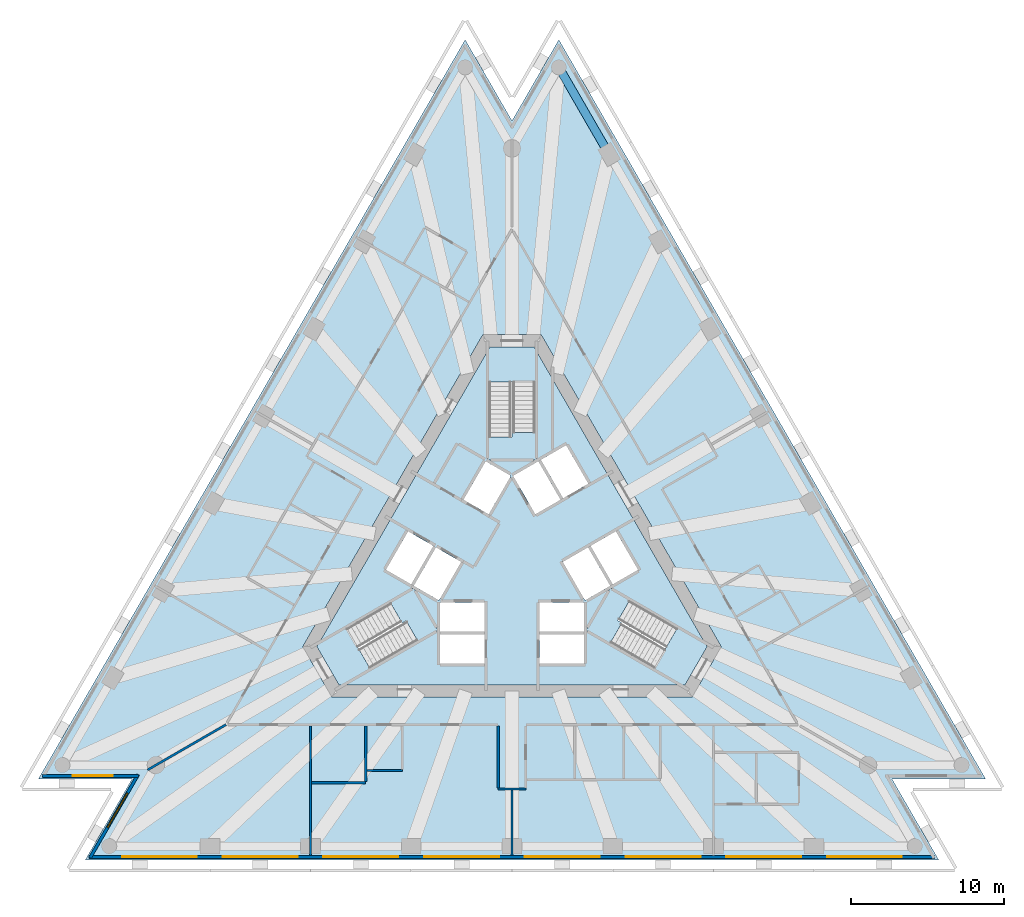
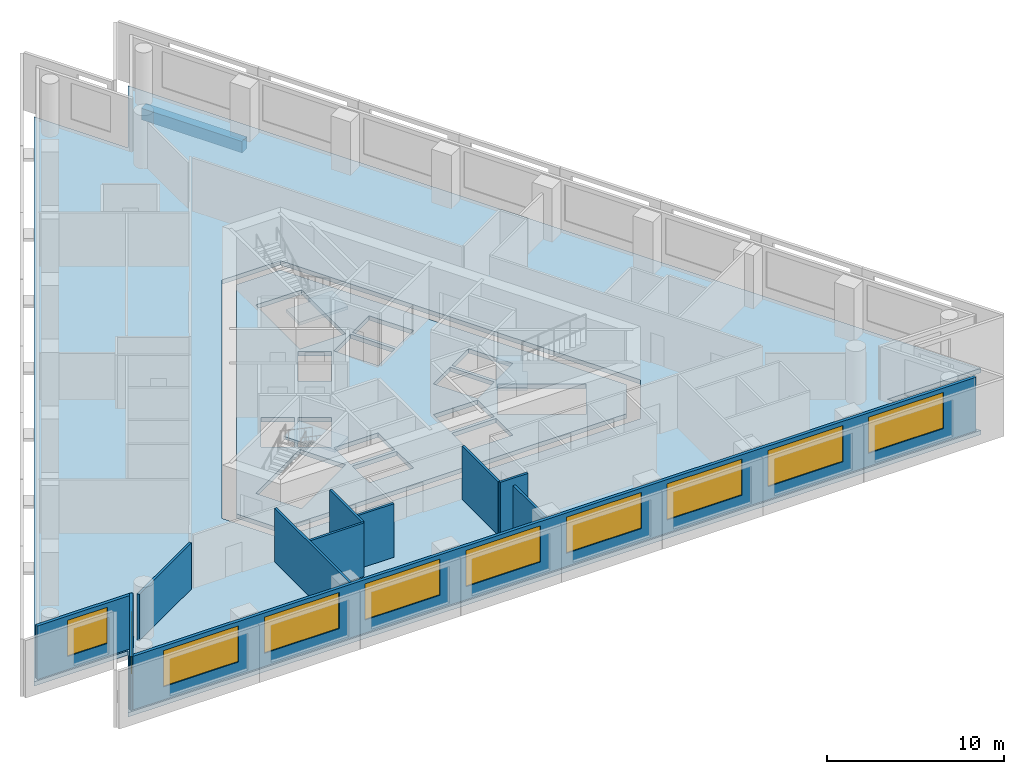
# One storey, part 2 of 10: 11 walls, 10 windows, 5 slabs, 1 beam, 10 openings, 3 elements without a shape of their own.
"""IFC4 building model written with IfcOpenShell, lengths in metres."""

from ifc_helpers import new_model, si_unit, direction, frame, frame_2d, origin, origin_2d, place, context, subcontext, project, spatial, polyline, rectangle, outline, extrude, material, layer, layer_set, layer_usage, material_profile, profile_set, type_object, element, fill, aggregate, save


model = new_model("IFC4")

# Units and contexts
model_context = context("Model", 3, precision=1e-05, world=origin(), true_north=direction((0.0, 1.0)))
body_context = subcontext(model_context, "Body", "Model", "MODEL_VIEW")
ifc_project = project(units=[si_unit("LENGTHUNIT", "METRE"), si_unit("AREAUNIT", "SQUARE_METRE"), si_unit("VOLUMEUNIT", "CUBIC_METRE"), si_unit("PLANEANGLEUNIT", "RADIAN"), si_unit("MASSUNIT", "GRAM", prefix="KILO")], contexts=[model_context])

# Site, building, storey
site_placement = place(None, origin())
site = spatial("IfcSite", under=ifc_project, at=site_placement, CompositionType="ELEMENT")
building_placement = place(site_placement, origin())
building = spatial("IfcBuilding", under=site, at=building_placement, Name="Triada Interchange Tower", CompositionType="ELEMENT")
storey_placement = place(building_placement, frame((0.0, 0.0, 156.300048828125)))
storey = spatial("IfcBuildingStorey", under=building, at=storey_placement, Name="L36", CompositionType="ELEMENT", Elevation=156.300048828125)

# Beam
ifc_material_1 = material(Name="Concrete C50/60", Category="concrete")
ifc_material_profile = material_profile(ifc_material_1, rectangle(XDim=0.550048828125, YDim=0.800048828125, at=origin_2d()), Name="RC 550x800")
ifc_profile_set = profile_set([ifc_material_profile], Name="Concrete C50/60")
beam_type = type_object("IfcBeamType", Name="Spandrel beam B RC 550x800", PredefinedType="BEAM", material=ifc_profile_set)
beam_placement = place(storey_placement, frame((6.35595703125, 26.48388671875, -0.699951171875), z_axis=(-0.499966313909, 0.866044851585, 0.0), x_axis=(-0.866044851585, -0.499966313909, 0.0)))
element("IfcBeam", 1, at=beam_placement, inside=storey, type_object=beam_type, Name="Spandrel beam EB28 L36", PredefinedType="BEAM", context=body_context, shape_type="SweptSolid", body=[
    extrude(rectangle(XDim=0.550048828125, YDim=0.800048828125, at=origin_2d()), origin(), (0.0, 0.0, 1.0), 6.58642578125),
])

# Slabs
ifc_layer_1 = layer(ifc_material_1, 0.300048828125)
ifc_layer_set_1 = layer_set([ifc_layer_1], Name="Floor slab 300")
slab_type_1 = type_object("IfcSlabType", Name="Floor slab 300", PredefinedType="FLOOR", material=ifc_layer_set_1)
slab_1_placement = place(storey_placement, frame((0.0, 0.0, -0.300048828125)))
element("IfcSlab", 2, at=slab_1_placement, inside=storey, type_object=slab_type_1, Name="Floor slab L36", PredefinedType="FLOOR", context=body_context, shape_type="SweptSolid", body=[
    extrude(outline(polyline([(-3.06298828125, 33.988037109375), (-30.965087890625, -14.342041015625), (-24.840087890625, -14.342041015625), (-27.903076171875, -19.64599609375), (27.903076171875, -19.64599609375), (24.840087890625, -14.342041015625), (30.965087890625, -14.342041015625), (3.06298828125, 33.988037109375), (0.0, 28.68310546875), (-3.06298828125, 33.988037109375)]), holes=[polyline([(1.905029296875, 14.699951171875), (-1.905029296875, 14.699951171875), (-13.68310546875, -5.699951171875), (-11.778076171875, -9.0), (11.778076171875, -9.0), (13.68310546875, -5.699951171875), (1.905029296875, 14.699951171875)])]), origin(), (0.0, 0.0, 1.0), 0.300048828125),
])
slab_2_placement = place(storey_placement, frame((0.0, 0.0, -0.300048828125)))
element("IfcSlab", 3, at=slab_2_placement, inside=storey, type_object=slab_type_1, Name="Core floor slab L36 1", PredefinedType="FLOOR", context=body_context, shape_type="SweptSolid", body=[
    extrude(outline(polyline([(12.759033203125, -5.699951171875), (11.31591796875, -8.199951171875), (-11.31591796875, -8.199951171875), (-12.759033203125, -5.699951171875), (-1.443115234375, 13.89990234375), (1.443115234375, 13.89990234375), (12.759033203125, -5.699951171875)]), holes=[polyline([(9.2958984375, -7.09912109375), (10.7958984375, -4.5009765625), (6.466064453125, -2.0009765625), (4.966064453125, -4.59912109375), (9.2958984375, -7.09912109375)]), polyline([(6.7890625, 1.841064453125), (5.14404296875, 0.89111328125), (6.593994140625, -1.6201171875), (8.239013671875, -0.669921875), (6.7890625, 1.841064453125)]), polyline([(4.77490234375, -2.669921875), (6.419921875, -1.719970703125), (4.969970703125, 0.791015625), (3.9150390625, 0.181884765625), (3.324951171875, -0.158935546875), (4.77490234375, -2.669921875)]), polyline([(1.89404296875, 6.52001953125), (3.343994140625, 4.009033203125), (4.989013671875, 4.958984375), (3.5390625, 7.469970703125), (1.89404296875, 6.52001953125)]), polyline([(4.699951171875, -6.800048828125), (4.699951171875, -4.89990234375), (1.800048828125, -4.89990234375), (1.800048828125, -6.800048828125), (4.699951171875, -6.800048828125)]), polyline([(4.699951171875, -2.800048828125), (1.800048828125, -2.800048828125), (1.800048828125, -4.699951171875), (4.699951171875, -4.699951171875), (4.699951171875, -2.800048828125)]), polyline([(0.074951171875, 5.469970703125), (1.52490234375, 2.958984375), (3.169921875, 3.908935546875), (1.719970703125, 6.419921875), (0.074951171875, 5.469970703125)]), polyline([(1.5, 11.60009765625), (-1.5, 11.60009765625), (-1.5, 6.60009765625), (1.5, 6.60009765625), (1.5, 11.60009765625)]), polyline([(-1.52490234375, 2.958984375), (-0.074951171875, 5.469970703125), (-1.719970703125, 6.419921875), (-3.169921875, 3.908935546875), (-1.52490234375, 2.958984375)]), polyline([(-1.800048828125, -2.800048828125), (-4.699951171875, -2.800048828125), (-4.699951171875, -4.699951171875), (-1.800048828125, -4.699951171875), (-1.800048828125, -2.800048828125)]), polyline([(-4.699951171875, -6.800048828125), (-1.800048828125, -6.800048828125), (-1.800048828125, -4.89990234375), (-4.699951171875, -4.89990234375), (-4.699951171875, -6.800048828125)]), polyline([(-4.77490234375, -2.669921875), (-3.324951171875, -0.158935546875), (-4.969970703125, 0.791015625), (-6.419921875, -1.719970703125), (-4.77490234375, -2.669921875)]), polyline([(-10.7958984375, -4.5009765625), (-9.2958984375, -7.09912109375), (-4.966064453125, -4.59912109375), (-6.466064453125, -2.0009765625), (-10.7958984375, -4.5009765625)]), polyline([(-6.593994140625, -1.6201171875), (-5.14404296875, 0.89111328125), (-6.7890625, 1.841064453125), (-8.239013671875, -0.669921875), (-6.593994140625, -1.6201171875)])]), origin(), (0.0, 0.0, 1.0), 0.300048828125),
])

# Stair, slab
ifc_material_2 = material(Name="Concrete C35/45", Category="concrete")
stair_type = type_object("IfcStairType", Name="HALF TURN STAIR 1400", PredefinedType="HALF_TURN_STAIR", material=ifc_material_2)
stair_1_placement = place(storey_placement, origin())
stair_1 = element("IfcStair", 4, at=stair_1_placement, inside=storey, type_object=stair_type, Name="Exit stair S35-1", PredefinedType="HALF_TURN_STAIR")
ifc_layer_2 = layer(ifc_material_2, 0.199951171875)
ifc_layer_set_2 = layer_set([ifc_layer_2], Name="STAIR LANDING 200")
slab_type_2 = type_object("IfcSlabType", Name="STAIR LANDING 200", PredefinedType="LANDING", material=ifc_layer_set_2)
slab_3_placement = place(storey_placement, frame((0.0, 0.0, 1.719970703125)))
slab_3 = element("IfcSlab", 5, at=slab_3_placement, type_object=slab_type_2, Name="S35-1 landing 1", PredefinedType="LANDING", context=body_context, shape_type="SweptSolid", body=[
    extrude(outline(polyline([(1.60009765625, 6.5), (1.60009765625, 8.300048828125), (0.0, 8.300048828125), (0.0, 8.0), (-1.60009765625, 8.0), (-1.60009765625, 6.5), (1.60009765625, 6.5)])), origin(), (0.0, 0.0, 1.0), 0.199951171875),
])
aggregate(stair_1, [slab_3])

stair_2_placement = place(storey_placement, origin())
stair_2 = element("IfcStair", 6, at=stair_2_placement, inside=storey, type_object=stair_type, Name="Exit stair S35-2", PredefinedType="HALF_TURN_STAIR")
slab_4_placement = place(storey_placement, frame((0.0, 0.0, 1.719970703125)))
slab_4 = element("IfcSlab", 7, at=slab_4_placement, type_object=slab_type_2, Name="S35-2 landing 1", PredefinedType="LANDING", context=body_context, shape_type="SweptSolid", body=[
    extrude(outline(polyline([(-6.428955078125, -1.864013671875), (-7.988037109375, -2.763916015625), (-7.18798828125, -4.14990234375), (-6.927978515625, -4.0), (-6.1279296875, -5.385986328125), (-4.8291015625, -4.635986328125), (-6.428955078125, -1.864013671875)])), origin(), (0.0, 0.0, 1.0), 0.199951171875),
])
aggregate(stair_2, [slab_4])

stair_3_placement = place(storey_placement, origin())
stair_3 = element("IfcStair", 8, at=stair_3_placement, inside=storey, type_object=stair_type, Name="Exit stair S35-3", PredefinedType="HALF_TURN_STAIR")
slab_5_placement = place(storey_placement, frame((0.0, 0.0, 1.719970703125)))
slab_5 = element("IfcSlab", 9, at=slab_5_placement, type_object=slab_type_2, Name="S35-3 landing 1", PredefinedType="LANDING", context=body_context, shape_type="SweptSolid", body=[
    extrude(outline(polyline([(4.8291015625, -4.635986328125), (6.387939453125, -5.535888671875), (7.18798828125, -4.14990234375), (6.927978515625, -4.0), (7.72802734375, -2.614013671875), (6.428955078125, -1.864013671875), (4.8291015625, -4.635986328125)])), origin(), (0.0, 0.0, 1.0), 0.199951171875),
])
aggregate(stair_3, [slab_5])

# Wall, opening, window
ifc_material_3 = material(Name="Cement board")
ifc_layer_3 = layer(ifc_material_3, 0.02001953125, Name="Cement board cladding")
ifc_material_4 = material(Name="Sheathing board")
ifc_layer_4 = layer(ifc_material_4, 0.014892578125, Name="Sheathing board")
ifc_material_5 = material(Name="Mineral wool")
ifc_layer_5 = layer(ifc_material_5, 0.14990234375, Name="Mineral wool between steel studs")
ifc_material_6 = material(Name="Gypsum board")
ifc_layer_6 = layer(ifc_material_6, 0.014892578125, Name="Plasterboard lining")
ifc_layer_set_3 = layer_set([ifc_layer_3, ifc_layer_4, ifc_layer_5, ifc_layer_6], Name="External wall 200")
ifc_layer_usage = layer_usage(ifc_layer_set_3, "AXIS2", "POSITIVE", -0.10009765625)
wall_type_1 = type_object("IfcWallType", Name="External wall 200", PredefinedType="ELEMENTEDWALL", material=ifc_layer_set_3)
wall_1_placement = place(storey_placement, frame((-30.708984375, -14.14208984375, 0.0), z_axis=(0.0, 0.0, 1.0), x_axis=(1.0, 0.0, 0.0)))
wall_1 = element("IfcWall", 10, at=wall_1_placement, inside=storey, type_object=wall_type_1, material=ifc_layer_usage, Name="External wall L36 SW-1", PredefinedType="ELEMENTEDWALL", context=body_context, shape_type="SweptSolid", body=[
    extrude(rectangle(XDim=6.284912109375, YDim=0.199951171875, at=frame_2d((3.142578125, 0.0))), origin(), (0.0, 0.0, 1.0), 3.699951171875),
])
opening_1_placement = place(wall_1_placement, frame((1.989990234375, 0.0, 0.89990234375)))
opening_1 = element("IfcOpeningElement", 11, at=opening_1_placement, cuts=wall_1, Name="Opening WB09", PredefinedType="OPENING", context=body_context, shape_type="SweptSolid", body=[
    extrude(rectangle(XDim=2.60009765625, YDim=2.5, at=frame_2d((1.300048828125, 1.25))), frame((0.0, 0.10986328125, 0.0), z_axis=(0.0, -1.0, 0.0), x_axis=(1.0, 0.0, 0.0)), (0.0, 0.0, 1.0), 0.219970703125),
])
ifc_material_7 = material(Name="Double glazed aluminium window", Category="aluminium")
window_type_1 = type_object("IfcWindowType", Name="Ribbon window B pocket", PartitioningType="SINGLE_PANEL", PredefinedType="WINDOW", material=ifc_material_7)
window_1_placement = place(opening_1_placement, origin())
window_1 = element("IfcWindow", 12, at=window_1_placement, inside=storey, type_object=window_type_1, Name="Window L36 SW-1 1", OverallHeight=2.5, OverallWidth=2.60009765625, PartitioningType="SINGLE_PANEL", PredefinedType="WINDOW", context=body_context, shape_type="SweptSolid", body=[
    extrude(rectangle(XDim=2.60009765625, YDim=2.5, at=frame_2d((1.300048828125, 1.25))), frame((0.0, 0.030029296875, 0.0), z_axis=(0.0, -1.0, 0.0), x_axis=(1.0, 0.0, 0.0)), (0.0, 0.0, 1.0), 0.06005859375),
])
fill(opening_1, window_1)

wall_2_placement = place(storey_placement, frame((-24.448974609375, -14.06396484375, 0.0), z_axis=(0.0, 0.0, 1.0), x_axis=(-0.500057556061, -0.865992171227, 0.0)))
wall_2 = element("IfcWall", 13, at=wall_2_placement, inside=storey, type_object=wall_type_1, material=ifc_layer_usage, Name="External wall L36 SW-2", PredefinedType="ELEMENTEDWALL", context=body_context, shape_type="SweptSolid", body=[
    extrude(rectangle(XDim=6.285400390625, YDim=0.199951171875, at=frame_2d((3.142578125, 0.0))), origin(), (0.0, 0.0, 1.0), 3.699951171875),
])
opening_2_placement = place(wall_2_placement, frame((1.389892578125, 0.0, 0.89990234375)))
opening_2 = element("IfcOpeningElement", 14, at=opening_2_placement, cuts=wall_2, Name="Opening WB10", PredefinedType="OPENING", context=body_context, shape_type="SweptSolid", body=[
    extrude(rectangle(XDim=2.60009765625, YDim=2.5, at=frame_2d((1.300048828125, 1.25))), frame((0.0, 0.10986328125, 0.0), z_axis=(0.0, -1.0, 0.0), x_axis=(1.0, 0.0, 0.0)), (0.0, 0.0, 1.0), 0.219970703125),
])
window_2_placement = place(opening_2_placement, origin())
window_2 = element("IfcWindow", 15, at=window_2_placement, inside=storey, type_object=window_type_1, Name="Window L36 SW-2 1", OverallHeight=2.5, OverallWidth=2.60009765625, PartitioningType="SINGLE_PANEL", PredefinedType="WINDOW", context=body_context, shape_type="SweptSolid", body=[
    extrude(rectangle(XDim=2.60009765625, YDim=2.5, at=frame_2d((1.300048828125, 1.25))), frame((0.0, 0.030029296875, 0.0), z_axis=(0.0, -1.0, 0.0), x_axis=(1.0, 0.0, 0.0)), (0.0, 0.0, 1.0), 0.06005859375),
])
fill(opening_2, window_2)

# Wall, openings, windows
wall_3_placement = place(storey_placement, frame((-27.64697265625, -19.446044921875, 0.0), z_axis=(0.0, 0.0, 1.0), x_axis=(1.0, 0.0, 0.0)))
wall_3 = element("IfcWall", 16, at=wall_3_placement, inside=storey, type_object=wall_type_1, material=ifc_layer_usage, Name="External wall L36 S", PredefinedType="ELEMENTEDWALL", context=body_context, shape_type="SweptSolid", body=[
    extrude(rectangle(XDim=55.27392578125, YDim=0.199951171875, at=frame_2d((27.636962890625, 0.0))), origin(), (0.0, 0.0, 1.0), 3.699951171875),
])
opening_3_placement = place(wall_3_placement, frame((2.14599609375, 0.0, 0.89990234375)))
opening_3 = element("IfcOpeningElement", 17, at=opening_3_placement, cuts=wall_3, Name="Opening WB11", PredefinedType="OPENING", context=body_context, shape_type="SweptSolid", body=[
    extrude(rectangle(XDim=4.89990234375, YDim=2.5, at=frame_2d((2.449951171875, 1.25))), frame((0.0, 0.10986328125, 0.0), z_axis=(0.0, -1.0, 0.0), x_axis=(1.0, 0.0, 0.0)), (0.0, 0.0, 1.0), 0.219970703125),
])
opening_4_placement = place(wall_3_placement, frame((8.73193359375, 0.0, 0.89990234375)))
opening_4 = element("IfcOpeningElement", 18, at=opening_4_placement, cuts=wall_3, Name="Opening WB12", PredefinedType="OPENING", context=body_context, shape_type="SweptSolid", body=[
    extrude(rectangle(XDim=4.89990234375, YDim=2.5, at=frame_2d((2.449951171875, 1.25))), frame((0.0, 0.10986328125, 0.0), z_axis=(0.0, -1.0, 0.0), x_axis=(1.0, 0.0, 0.0)), (0.0, 0.0, 1.0), 0.219970703125),
])
opening_5_placement = place(wall_3_placement, frame((15.318115234375, 0.0, 0.89990234375)))
opening_5 = element("IfcOpeningElement", 19, at=opening_5_placement, cuts=wall_3, Name="Opening WB13", PredefinedType="OPENING", context=body_context, shape_type="SweptSolid", body=[
    extrude(rectangle(XDim=4.89990234375, YDim=2.5, at=frame_2d((2.449951171875, 1.25))), frame((0.0, 0.10986328125, 0.0), z_axis=(0.0, -1.0, 0.0), x_axis=(1.0, 0.0, 0.0)), (0.0, 0.0, 1.0), 0.219970703125),
])
opening_6_placement = place(wall_3_placement, frame((21.904052734375, 0.0, 0.89990234375)))
opening_6 = element("IfcOpeningElement", 20, at=opening_6_placement, cuts=wall_3, Name="Opening WB14", PredefinedType="OPENING", context=body_context, shape_type="SweptSolid", body=[
    extrude(rectangle(XDim=4.89990234375, YDim=2.5, at=frame_2d((2.449951171875, 1.25))), frame((0.0, 0.10986328125, 0.0), z_axis=(0.0, -1.0, 0.0), x_axis=(1.0, 0.0, 0.0)), (0.0, 0.0, 1.0), 0.219970703125),
])
opening_7_placement = place(wall_3_placement, frame((28.489990234375, 0.0, 0.89990234375)))
opening_7 = element("IfcOpeningElement", 21, at=opening_7_placement, cuts=wall_3, Name="Opening WB15", PredefinedType="OPENING", context=body_context, shape_type="SweptSolid", body=[
    extrude(rectangle(XDim=4.89990234375, YDim=2.5, at=frame_2d((2.449951171875, 1.25))), frame((0.0, 0.10986328125, 0.0), z_axis=(0.0, -1.0, 0.0), x_axis=(1.0, 0.0, 0.0)), (0.0, 0.0, 1.0), 0.219970703125),
])
opening_8_placement = place(wall_3_placement, frame((35.075927734375, 0.0, 0.89990234375)))
opening_8 = element("IfcOpeningElement", 22, at=opening_8_placement, cuts=wall_3, Name="Opening WB16", PredefinedType="OPENING", context=body_context, shape_type="SweptSolid", body=[
    extrude(rectangle(XDim=4.89990234375, YDim=2.5, at=frame_2d((2.449951171875, 1.25))), frame((0.0, 0.10986328125, 0.0), z_axis=(0.0, -1.0, 0.0), x_axis=(1.0, 0.0, 0.0)), (0.0, 0.0, 1.0), 0.219970703125),
])
opening_9_placement = place(wall_3_placement, frame((41.662109375, 0.0, 0.89990234375)))
opening_9 = element("IfcOpeningElement", 23, at=opening_9_placement, cuts=wall_3, Name="Opening WB17", PredefinedType="OPENING", context=body_context, shape_type="SweptSolid", body=[
    extrude(rectangle(XDim=4.89990234375, YDim=2.5, at=frame_2d((2.449951171875, 1.25))), frame((0.0, 0.10986328125, 0.0), z_axis=(0.0, -1.0, 0.0), x_axis=(1.0, 0.0, 0.0)), (0.0, 0.0, 1.0), 0.219970703125),
])
opening_10_placement = place(wall_3_placement, frame((48.248046875, 0.0, 0.89990234375)))
opening_10 = element("IfcOpeningElement", 24, at=opening_10_placement, cuts=wall_3, Name="Opening WB18", PredefinedType="OPENING", context=body_context, shape_type="SweptSolid", body=[
    extrude(rectangle(XDim=4.89990234375, YDim=2.5, at=frame_2d((2.449951171875, 1.25))), frame((0.0, 0.10986328125, 0.0), z_axis=(0.0, -1.0, 0.0), x_axis=(1.0, 0.0, 0.0)), (0.0, 0.0, 1.0), 0.219970703125),
])
window_type_2 = type_object("IfcWindowType", Name="Ribbon window B face", PartitioningType="SINGLE_PANEL", PredefinedType="WINDOW", material=ifc_material_7)
window_3_placement = place(opening_3_placement, origin())
window_3 = element("IfcWindow", 25, at=window_3_placement, inside=storey, type_object=window_type_2, Name="Window L36 S 1", OverallHeight=2.5, OverallWidth=4.89990234375, PartitioningType="SINGLE_PANEL", PredefinedType="WINDOW", context=body_context, shape_type="SweptSolid", body=[
    extrude(rectangle(XDim=4.89990234375, YDim=2.5, at=frame_2d((2.449951171875, 1.25))), frame((0.0, 0.030029296875, 0.0), z_axis=(0.0, -1.0, 0.0), x_axis=(1.0, 0.0, 0.0)), (0.0, 0.0, 1.0), 0.06005859375),
])
fill(opening_3, window_3)
window_4_placement = place(opening_4_placement, origin())
window_4 = element("IfcWindow", 26, at=window_4_placement, inside=storey, type_object=window_type_2, Name="Window L36 S 2", OverallHeight=2.5, OverallWidth=4.89990234375, PartitioningType="SINGLE_PANEL", PredefinedType="WINDOW", context=body_context, shape_type="SweptSolid", body=[
    extrude(rectangle(XDim=4.89990234375, YDim=2.5, at=frame_2d((2.449951171875, 1.25))), frame((0.0, 0.030029296875, 0.0), z_axis=(0.0, -1.0, 0.0), x_axis=(1.0, 0.0, 0.0)), (0.0, 0.0, 1.0), 0.06005859375),
])
fill(opening_4, window_4)
window_5_placement = place(opening_5_placement, origin())
window_5 = element("IfcWindow", 27, at=window_5_placement, inside=storey, type_object=window_type_2, Name="Window L36 S 3", OverallHeight=2.5, OverallWidth=4.89990234375, PartitioningType="SINGLE_PANEL", PredefinedType="WINDOW", context=body_context, shape_type="SweptSolid", body=[
    extrude(rectangle(XDim=4.89990234375, YDim=2.5, at=frame_2d((2.449951171875, 1.25))), frame((0.0, 0.030029296875, 0.0), z_axis=(0.0, -1.0, 0.0), x_axis=(1.0, 0.0, 0.0)), (0.0, 0.0, 1.0), 0.06005859375),
])
fill(opening_5, window_5)
window_6_placement = place(opening_6_placement, origin())
window_6 = element("IfcWindow", 28, at=window_6_placement, inside=storey, type_object=window_type_2, Name="Window L36 S 4", OverallHeight=2.5, OverallWidth=4.89990234375, PartitioningType="SINGLE_PANEL", PredefinedType="WINDOW", context=body_context, shape_type="SweptSolid", body=[
    extrude(rectangle(XDim=4.89990234375, YDim=2.5, at=frame_2d((2.449951171875, 1.25))), frame((0.0, 0.030029296875, 0.0), z_axis=(0.0, -1.0, 0.0), x_axis=(1.0, 0.0, 0.0)), (0.0, 0.0, 1.0), 0.06005859375),
])
fill(opening_6, window_6)
window_7_placement = place(opening_7_placement, origin())
window_7 = element("IfcWindow", 29, at=window_7_placement, inside=storey, type_object=window_type_2, Name="Window L36 S 5", OverallHeight=2.5, OverallWidth=4.89990234375, PartitioningType="SINGLE_PANEL", PredefinedType="WINDOW", context=body_context, shape_type="SweptSolid", body=[
    extrude(rectangle(XDim=4.89990234375, YDim=2.5, at=frame_2d((2.449951171875, 1.25))), frame((0.0, 0.030029296875, 0.0), z_axis=(0.0, -1.0, 0.0), x_axis=(1.0, 0.0, 0.0)), (0.0, 0.0, 1.0), 0.06005859375),
])
fill(opening_7, window_7)
window_8_placement = place(opening_8_placement, origin())
window_8 = element("IfcWindow", 30, at=window_8_placement, inside=storey, type_object=window_type_2, Name="Window L36 S 6", OverallHeight=2.5, OverallWidth=4.89990234375, PartitioningType="SINGLE_PANEL", PredefinedType="WINDOW", context=body_context, shape_type="SweptSolid", body=[
    extrude(rectangle(XDim=4.89990234375, YDim=2.5, at=frame_2d((2.449951171875, 1.25))), frame((0.0, 0.030029296875, 0.0), z_axis=(0.0, -1.0, 0.0), x_axis=(1.0, 0.0, 0.0)), (0.0, 0.0, 1.0), 0.06005859375),
])
fill(opening_8, window_8)
window_9_placement = place(opening_9_placement, origin())
window_9 = element("IfcWindow", 31, at=window_9_placement, inside=storey, type_object=window_type_2, Name="Window L36 S 7", OverallHeight=2.5, OverallWidth=4.89990234375, PartitioningType="SINGLE_PANEL", PredefinedType="WINDOW", context=body_context, shape_type="SweptSolid", body=[
    extrude(rectangle(XDim=4.89990234375, YDim=2.5, at=frame_2d((2.449951171875, 1.25))), frame((0.0, 0.030029296875, 0.0), z_axis=(0.0, -1.0, 0.0), x_axis=(1.0, 0.0, 0.0)), (0.0, 0.0, 1.0), 0.06005859375),
])
fill(opening_9, window_9)
window_10_placement = place(opening_10_placement, origin())
window_10 = element("IfcWindow", 32, at=window_10_placement, inside=storey, type_object=window_type_2, Name="Window L36 S 8", OverallHeight=2.5, OverallWidth=4.89990234375, PartitioningType="SINGLE_PANEL", PredefinedType="WINDOW", context=body_context, shape_type="SweptSolid", body=[
    extrude(rectangle(XDim=4.89990234375, YDim=2.5, at=frame_2d((2.449951171875, 1.25))), frame((0.0, 0.030029296875, 0.0), z_axis=(0.0, -1.0, 0.0), x_axis=(1.0, 0.0, 0.0)), (0.0, 0.0, 1.0), 0.06005859375),
])
fill(opening_10, window_10)

# Walls
ifc_material_8 = material(Name="Gypsum board partition")
ifc_layer_7 = layer(ifc_material_8, 0.14990234375)
ifc_layer_set_4 = layer_set([ifc_layer_7], Name="PARTITION 150 EI 180")
wall_type_2 = type_object("IfcWallType", Name="PARTITION 150 EI 180", PredefinedType="PARTITIONING", material=ifc_layer_set_4)
wall_4_placement = place(storey_placement, frame((-23.818115234375, -13.751953125, 0.0), z_axis=(0.0, 0.0, 1.0), x_axis=(0.8659920435, 0.500057777256, 0.0)))
element("IfcWall", 33, at=wall_4_placement, inside=storey, type_object=wall_type_2, Name="Wall L35 1", PredefinedType="PARTITIONING", context=body_context, shape_type="SweptSolid", body=[
    extrude(rectangle(XDim=5.903076171875, YDim=0.14990234375, at=frame_2d((2.95166015625, 0.0))), origin(), (0.0, 0.0, 1.0), 3.199951171875),
])
wall_5_placement = place(storey_placement, frame((-13.172119140625, -19.365966796875, 0.0), z_axis=(0.0, 0.0, 1.0), x_axis=(0.0, 1.0, 0.0)))
element("IfcWall", 34, at=wall_5_placement, inside=storey, type_object=wall_type_2, Name="Wall L35 14", PredefinedType="PARTITIONING", context=body_context, shape_type="SweptSolid", body=[
    extrude(rectangle(XDim=8.490966796875, YDim=0.14990234375, at=frame_2d((4.24560546875, 0.0))), origin(), (0.0, 0.0, 1.0), 3.699951171875),
])
wall_6_placement = place(storey_placement, frame((-13.096923828125, -14.60009765625, 0.0), z_axis=(0.0, 0.0, 1.0), x_axis=(1.0, 0.0, 0.0)))
element("IfcWall", 35, at=wall_6_placement, inside=storey, type_object=wall_type_2, Name="Wall L35 15", PredefinedType="PARTITIONING", context=body_context, shape_type="SweptSolid", body=[
    extrude(rectangle(XDim=3.52490234375, YDim=0.14990234375, at=frame_2d((1.762451171875, 0.0))), origin(), (0.0, 0.0, 1.0), 3.699951171875),
])
wall_7_placement = place(storey_placement, frame((-9.572021484375, -14.52490234375, 0.0), z_axis=(0.0, 0.0, 1.0), x_axis=(0.0, 1.0, 0.0)))
element("IfcWall", 36, at=wall_7_placement, inside=storey, type_object=wall_type_2, Name="Wall L35 16", PredefinedType="PARTITIONING", context=body_context, shape_type="SweptSolid", body=[
    extrude(rectangle(XDim=3.64990234375, YDim=0.14990234375, at=frame_2d((1.824951171875, 0.0))), origin(), (0.0, 0.0, 1.0), 3.699951171875),
])
wall_8_placement = place(storey_placement, frame((-9.4970703125, -13.800048828125, 0.0), z_axis=(0.0, 0.0, 1.0), x_axis=(1.0, 0.0, 0.0)))
element("IfcWall", 37, at=wall_8_placement, inside=storey, type_object=wall_type_2, Name="Wall L35 21", PredefinedType="PARTITIONING", context=body_context, shape_type="SweptSolid", body=[
    extrude(rectangle(XDim=2.324951171875, YDim=0.14990234375, at=frame_2d((1.16259765625, 0.0))), origin(), (0.0, 0.0, 1.0), 3.699951171875),
])
wall_9_placement = place(storey_placement, frame((-0.89990234375, -15.0, 0.0), z_axis=(0.0, 0.0, 1.0), x_axis=(1.0, 0.0, 0.0)))
element("IfcWall", 38, at=wall_9_placement, inside=storey, type_object=wall_type_2, Name="Wall L35 23", PredefinedType="PARTITIONING", context=body_context, shape_type="SweptSolid", body=[
    extrude(rectangle(XDim=1.7998046875, YDim=0.14990234375, at=frame_2d((0.89990234375, 0.0))), origin(), (0.0, 0.0, 1.0), 3.699951171875),
])
wall_10_placement = place(storey_placement, frame((-0.89990234375, -14.925048828125, 0.0), z_axis=(0.0, 0.0, 1.0), x_axis=(0.0, 1.0, 0.0)))
element("IfcWall", 39, at=wall_10_placement, inside=storey, type_object=wall_type_2, Name="Wall L35 24", PredefinedType="PARTITIONING", context=body_context, shape_type="SweptSolid", body=[
    extrude(rectangle(XDim=4.049072265625, YDim=0.14990234375, at=frame_2d((2.0244140625, 0.0))), origin(), (0.0, 0.0, 1.0), 3.699951171875),
])
wall_11_placement = place(storey_placement, frame((0.0, -19.365966796875, 0.0), z_axis=(0.0, 0.0, 1.0), x_axis=(0.0, 1.0, 0.0)))
element("IfcWall", 40, at=wall_11_placement, inside=storey, type_object=wall_type_2, Name="Wall L35 25", PredefinedType="PARTITIONING", context=body_context, shape_type="SweptSolid", body=[
    extrude(rectangle(XDim=4.291015625, YDim=0.14990234375, at=frame_2d((2.1455078125, 0.0))), origin(), (0.0, 0.0, 1.0), 3.199951171875),
])

save(model, "model.ifc")
